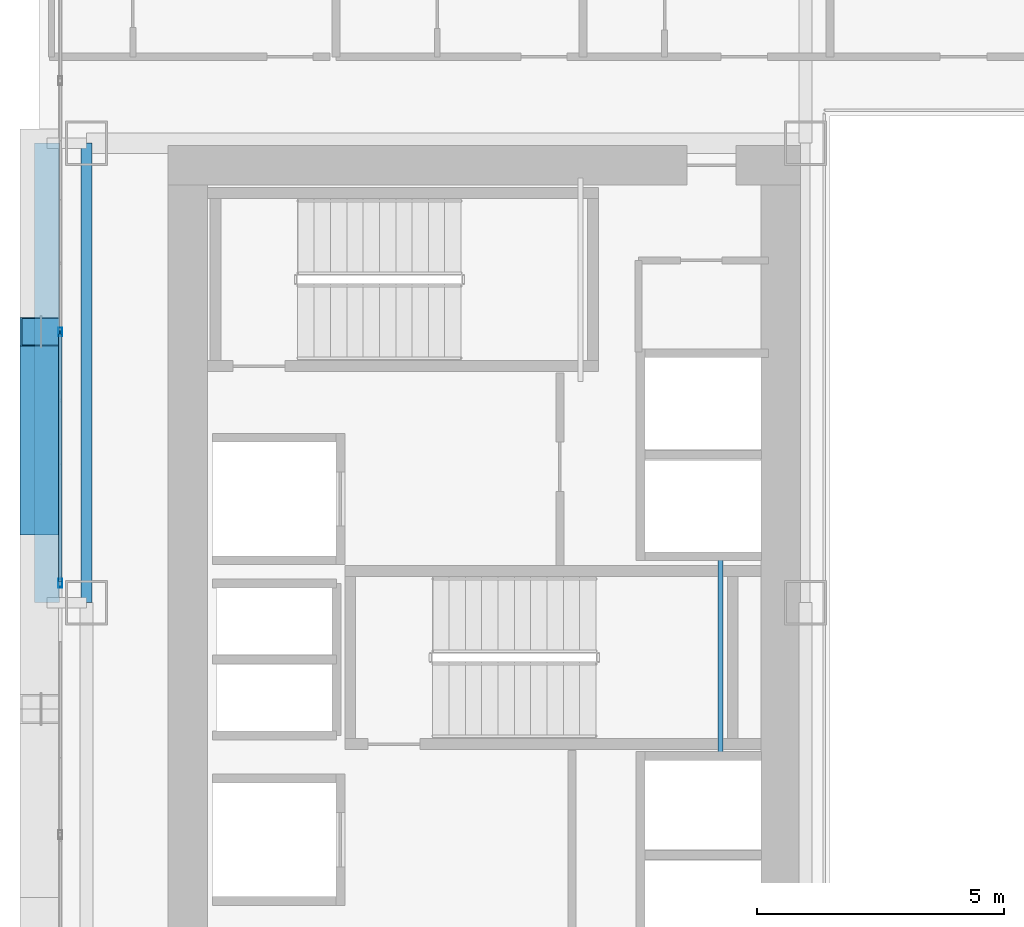
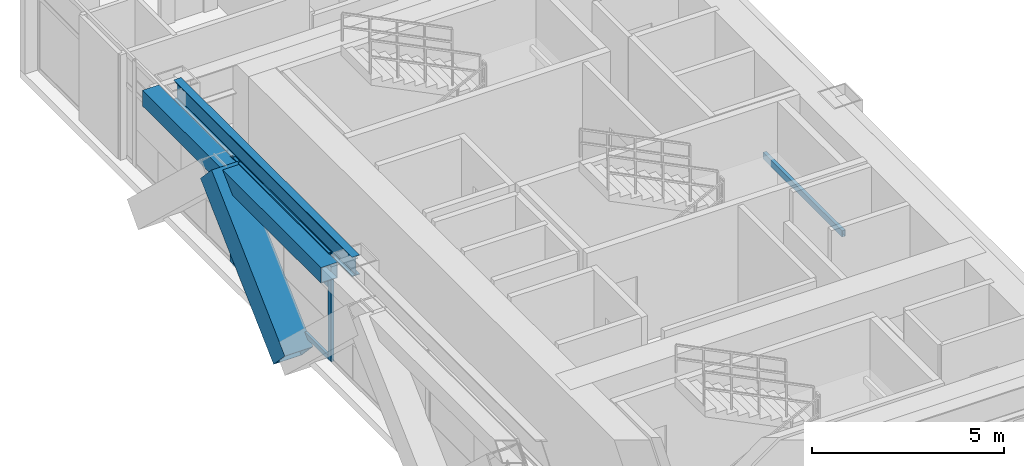
# One storey, part 8 of 35: 6 members, 3 beams, 1 element without a shape of its own.
"""IFC4 building model written with IfcOpenShell, lengths in metres."""

from ifc_helpers import new_model, si_unit, direction, frame, origin, origin_2d, place, context, subcontext, project, spatial, hollow_rectangle, i_section, extrude, source, transform, mapped, material, layer, layer_set, material_profile, profile_set, type_object, element, aggregate, save


model = new_model("IFC4")

# Units and contexts
model_context = context("Model", 3, precision=1e-05, world=origin(), true_north=direction((0.0, 1.0)))
body_context = subcontext(model_context, "Body", "Model", "MODEL_VIEW")
ifc_project = project(units=[si_unit("LENGTHUNIT", "METRE"), si_unit("AREAUNIT", "SQUARE_METRE"), si_unit("VOLUMEUNIT", "CUBIC_METRE"), si_unit("PLANEANGLEUNIT", "RADIAN"), si_unit("MASSUNIT", "GRAM", prefix="KILO")], contexts=[model_context])

# Site, building, storey
site_placement = place(None, origin())
site = spatial("IfcSite", under=ifc_project, at=site_placement, CompositionType="ELEMENT")
building_placement = place(site_placement, origin())
building = spatial("IfcBuilding", under=site, at=building_placement, Name="Ocotamira Hotel", CompositionType="ELEMENT")
storey_placement = place(building_placement, frame((0.0, 0.0, 70.800048828125)))
storey = spatial("IfcBuildingStorey", under=building, at=storey_placement, Name="L17", CompositionType="ELEMENT", Elevation=70.800048828125)

# Beams
ifc_material_1 = material(Name="Steel ASTM A500 Grade C", Category="steel")
ifc_material_profile_1 = material_profile(ifc_material_1, hollow_rectangle(XDim=0.10009765625, YDim=0.199951171875, WallThickness=0.008056640625, at=origin_2d()), Name="HSS200X100X8")
ifc_profile_set_1 = profile_set([ifc_material_profile_1], Name="Steel ASTM A500 Grade C")
beam_type_1 = type_object("IfcBeamType", Name="BM-STLDG-HSS200", PredefinedType="BEAM", material=ifc_profile_set_1)
shared_shape_1 = source(origin(), body_context, "Body", "SweptSolid", [
    extrude(hollow_rectangle(XDim=0.10009765625, YDim=0.199951171875, WallThickness=0.008056640625, at=origin_2d()), origin(), (0.0, 0.0, 1.0), 4.1201171875),
])
beam_1_placement = place(storey_placement, frame((21.780029296875, 24.97998046875, 1.5), z_axis=(0.0, 1.0, 0.0), x_axis=(-1.0, 0.0, 0.0)))
element("IfcBeam", 1, at=beam_1_placement, inside=storey, type_object=beam_type_1, Name="L17 Stair ST-3 Landing Bearer 1", PredefinedType="BEAM", context=body_context, shape_type="MappedRepresentation", body=[
    mapped(shared_shape_1, transform((0.0, 0.0, 0.0), scale=1.0)),
])
ifc_material_2 = material(Name="Steel ASTM A992 Grade 50", Category="steel")
ifc_material_profile_2 = material_profile(ifc_material_2, i_section(OverallWidth=0.22998046875, OverallDepth=0.616943359375, WebThickness=0.01318359375, FlangeThickness=0.022216796875, FilletRadius=0.012939453125, at=origin_2d()), Name="W24X94")
ifc_profile_set_2 = profile_set([ifc_material_profile_2], Name="Steel ASTM A992 Grade 50")
beam_type_2 = type_object("IfcBeamType", Name="BM-PRIM-W24X94", PredefinedType="BEAM", material=ifc_profile_set_2)
shared_shape_2 = source(origin(), body_context, "Body", "SweptSolid", [
    extrude(i_section(OverallWidth=0.22998046875, OverallDepth=0.616943359375, WebThickness=0.01318359375, FlangeThickness=0.022216796875, FilletRadius=0.012939453125, at=origin_2d()), origin(), (0.0, 0.0, 1.0), 9.300048828125),
])
beam_2_placement = place(storey_placement, frame((8.949951171875, 28.14990234375, 3.04150390625), z_axis=(0.0, 1.0, 0.0), x_axis=(-1.0, 0.0, 0.0)))
element("IfcBeam", 2, at=beam_2_placement, inside=storey, type_object=beam_type_2, Name="L17 Beam X8.95 Y28.15-37.45", PredefinedType="BEAM", context=body_context, shape_type="MappedRepresentation", body=[
    mapped(shared_shape_2, transform((0.0, 0.0, 0.0), scale=1.0)),
])
ifc_material_profile_3 = material_profile(ifc_material_1, hollow_rectangle(XDim=0.5, YDim=0.5, WallThickness=0.02001953125, at=origin_2d()), Name="HSS500X500X20")
ifc_profile_set_3 = profile_set([ifc_material_profile_3], Name="Steel ASTM A500 Grade C")
beam_type_3 = type_object("IfcBeamType", Name="BM-SPAN-HSS500", PredefinedType="USERDEFINED", material=ifc_profile_set_3)
shared_shape_3 = source(origin(), body_context, "Body", "SweptSolid", [
    extrude(hollow_rectangle(XDim=0.5, YDim=0.5, WallThickness=0.02001953125, at=origin_2d()), origin(), (0.0, 0.0, 1.0), 9.300048828125),
])
beam_3_placement = place(storey_placement, frame((8.14990234375, 28.14990234375, 3.099853515625), z_axis=(0.0, 1.0, 0.0), x_axis=(-1.0, 0.0, 0.0)))
element("IfcBeam", 3, at=beam_3_placement, inside=storey, type_object=beam_type_3, Name="L17 Edge Spandrel W Y28.15-37.45", ObjectType="SPANDREL", PredefinedType="USERDEFINED", context=body_context, shape_type="MappedRepresentation", body=[
    mapped(shared_shape_3, transform((0.0, 0.0, 0.0), scale=1.0)),
])

# Member
ifc_material_3 = material(Name="Pale-metal coated steel ASTM A913 Grade 65", Category="steel")
ifc_material_profile_4 = material_profile(ifc_material_3, hollow_rectangle(XDim=0.85009765625, YDim=0.85009765625, WallThickness=0.035888671875, at=origin_2d()), Name="BOX850X850X36")
ifc_profile_set_4 = profile_set([ifc_material_profile_4], Name="Pale-metal coated steel ASTM A913 Grade 65")
member_type_1 = type_object("IfcMemberType", Name="MEM-EXO-BOX850", PredefinedType="BRACE", material=ifc_profile_set_4)
shared_shape_4 = source(origin(), body_context, "Body", "SweptSolid", [
    extrude(hollow_rectangle(XDim=0.85009765625, YDim=0.85009765625, WallThickness=0.035888671875, at=origin_2d()), origin(), (0.0, 0.0, 1.0), 5.24658203125),
])
member_1_placement = place(storey_placement, frame((8.030029296875, 29.816650390625, -0.5), z_axis=(0.0, 0.72746596067, 0.686143772154), x_axis=(-1.0, 0.0, 0.0)))
element("IfcMember", 4, at=member_1_placement, inside=storey, type_object=member_type_1, Name="L17 Exoskeleton Diagrid W2.1", PredefinedType="BRACE", context=body_context, shape_type="MappedRepresentation", body=[
    mapped(shared_shape_4, transform((0.0, 0.0, 0.0), scale=1.0)),
])

# Curtain wall, members
ifc_material_4 = material(Name="Anodised pale-metal aluminium and solar glass", Category="aluminium")
ifc_layer = layer(ifc_material_4, 0.179931640625)
ifc_layer_set = layer_set([ifc_layer], Name="Anodised pale-metal aluminium and solar glass")
curtain_wall_type = type_object("IfcCurtainWallType", Name="CW-SYS2-Z1", PredefinedType="NOTDEFINED", material=ifc_layer_set)
curtain_wall_placement = place(storey_placement, origin())
curtain_wall = element("IfcCurtainWall", 5, at=curtain_wall_placement, inside=storey, type_object=curtain_wall_type, Name="L17 Curtain Wall CW-2 CW-L17-W", PredefinedType="NOTDEFINED")
ifc_material_5 = material(Name="Anodised pale-metal aluminium 6063-T6", Category="aluminium")
ifc_material_profile_5 = material_profile(ifc_material_5, hollow_rectangle(XDim=0.080078125, YDim=0.179931640625, WallThickness=0.006103515625, at=origin_2d()), Name="HSS180X80X6")
ifc_profile_set_5 = profile_set([ifc_material_profile_5], Name="Anodised pale-metal aluminium 6063-T6")
member_type_2 = type_object("IfcMemberType", Name="CWM-180X75", PredefinedType="MULLION", material=ifc_profile_set_5)
shared_shape_5 = source(origin(), body_context, "Body", "SweptSolid", [
    extrude(hollow_rectangle(XDim=0.080078125, YDim=0.179931640625, WallThickness=0.006103515625, at=origin_2d()), origin(), (0.0, 0.0, 1.0), 3.349853515625),
])
member_2_placement = place(storey_placement, frame((8.419921875, 28.54296875, 0.0), z_axis=(0.0, 0.0, 1.0), x_axis=(-1.0, 0.0, 0.0)))
member_2 = element("IfcMember", 6, at=member_2_placement, type_object=member_type_2, Name="CW-2 mullion 5", PredefinedType="MULLION", context=body_context, shape_type="MappedRepresentation", body=[
    mapped(shared_shape_5, transform((0.0, 0.0, 0.0), scale=1.0)),
])
member_3_placement = place(storey_placement, frame((8.419921875, 33.628662109375, 0.0), z_axis=(0.0, 0.0, 1.0), x_axis=(-1.0, 0.0, 0.0)))
member_3 = element("IfcMember", 7, at=member_3_placement, type_object=member_type_2, Name="CW-2 mullion 6", PredefinedType="MULLION", context=body_context, shape_type="MappedRepresentation", body=[
    mapped(shared_shape_5, transform((0.0, 0.0, 0.0), scale=1.0)),
])
ifc_material_profile_6 = material_profile(ifc_material_5, hollow_rectangle(XDim=0.074951171875, YDim=0.14990234375, WallThickness=0.006103515625, at=origin_2d()), Name="HSS150X75X6")
ifc_profile_set_6 = profile_set([ifc_material_profile_6], Name="Anodised pale-metal aluminium 6063-T6")
member_type_3 = type_object("IfcMemberType", Name="CWT-150X75", PredefinedType="USERDEFINED", material=ifc_profile_set_6)
shared_shape_6 = source(origin(), body_context, "Body", "SweptSolid", [
    extrude(hollow_rectangle(XDim=0.074951171875, YDim=0.14990234375, WallThickness=0.006103515625, at=origin_2d()), origin(), (0.0, 0.0, 1.0), 5.005859375),
])
member_4_placement = place(storey_placement, frame((8.419921875, 28.582763671875, 0.037353515625), z_axis=(0.0, 1.0, 0.0), x_axis=(-1.0, 0.0, 0.0)))
member_4 = element("IfcMember", 8, at=member_4_placement, type_object=member_type_3, Name="CW-2 transom 5.1", ObjectType="TRANSOM", PredefinedType="USERDEFINED", context=body_context, shape_type="MappedRepresentation", body=[
    mapped(shared_shape_6, transform((0.0, 0.0, 0.0), scale=1.0)),
])
member_5_placement = place(storey_placement, frame((8.419921875, 28.582763671875, 2.349853515625), z_axis=(0.0, 1.0, 0.0), x_axis=(-1.0, 0.0, 0.0)))
member_5 = element("IfcMember", 9, at=member_5_placement, type_object=member_type_3, Name="CW-2 transom 5.2", ObjectType="TRANSOM", PredefinedType="USERDEFINED", context=body_context, shape_type="MappedRepresentation", body=[
    mapped(shared_shape_6, transform((0.0, 0.0, 0.0), scale=1.0)),
])
member_6_placement = place(storey_placement, frame((8.419921875, 28.582763671875, 3.3125), z_axis=(0.0, 1.0, 0.0), x_axis=(-1.0, 0.0, 0.0)))
member_6 = element("IfcMember", 10, at=member_6_placement, type_object=member_type_3, Name="CW-2 transom 5.3", ObjectType="TRANSOM", PredefinedType="USERDEFINED", context=body_context, shape_type="MappedRepresentation", body=[
    mapped(shared_shape_6, transform((0.0, 0.0, 0.0), scale=1.0)),
])
aggregate(curtain_wall, [member_2, member_3, member_4, member_5, member_6])

save(model, "model.ifc")
